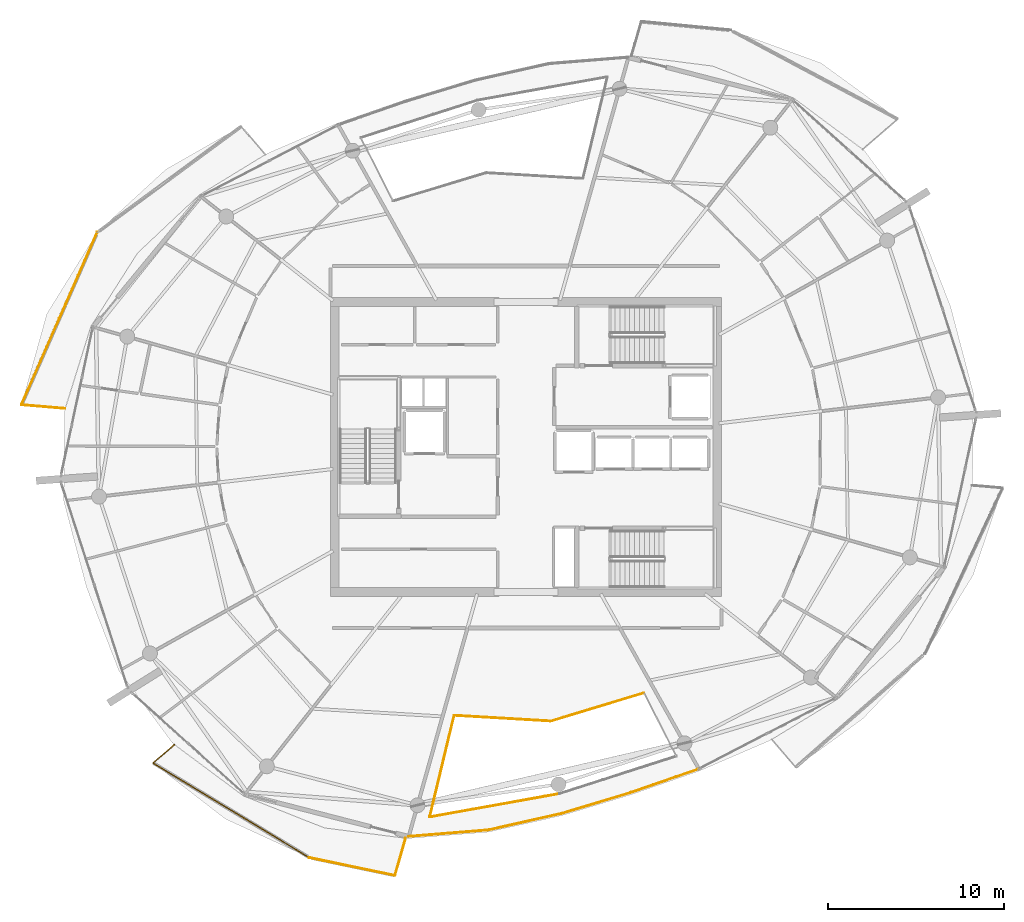
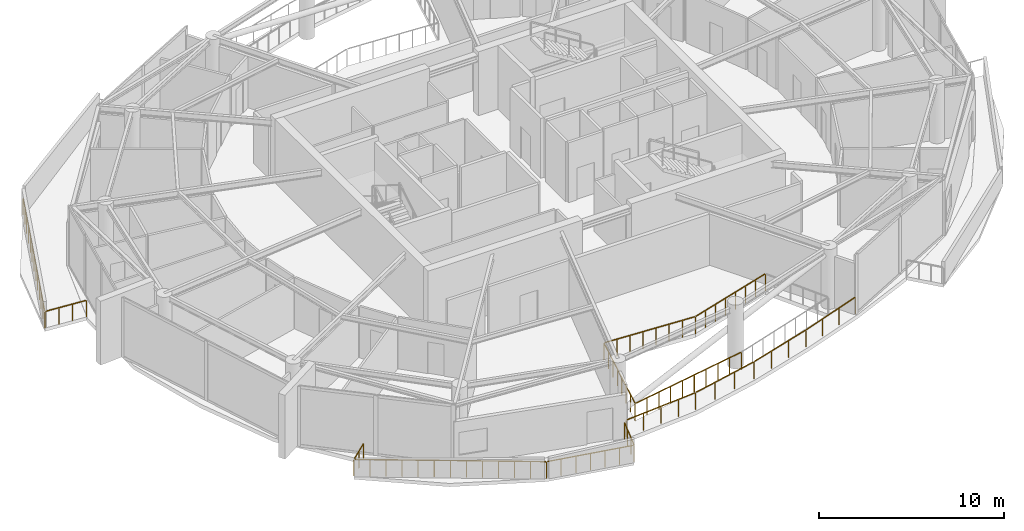
# One storey, part 18 of 22: 11 railings.
"""IFC4 building model written with IfcOpenShell, lengths in metres."""

from ifc_helpers import new_model, si_unit, direction, frame, origin, origin_2d, place, context, subcontext, project, spatial, rectangle, extrude, material, type_object, element, save


model = new_model("IFC4")

# Units and contexts
model_context = context("Model", 3, precision=1e-05, world=origin(), true_north=direction((0.0, 1.0)))
body_context = subcontext(model_context, "Body", "Model", "MODEL_VIEW")
ifc_project = project(units=[si_unit("LENGTHUNIT", "METRE"), si_unit("AREAUNIT", "SQUARE_METRE"), si_unit("VOLUMEUNIT", "CUBIC_METRE"), si_unit("PLANEANGLEUNIT", "RADIAN"), si_unit("MASSUNIT", "GRAM", prefix="KILO")], contexts=[model_context])

# Site, building, storey
site_placement = place(None, origin())
site = spatial("IfcSite", under=ifc_project, at=site_placement, CompositionType="ELEMENT")
building_placement = place(site_placement, origin())
building = spatial("IfcBuilding", under=site, at=building_placement, Name="Kazma Halo Residences", CompositionType="ELEMENT")
storey_placement = place(building_placement, frame((0.0, 0.0, 326.300048828125)))
storey = spatial("IfcBuildingStorey", under=building, at=storey_placement, Name="L82", CompositionType="ELEMENT", Elevation=326.300048828125)

# Railings
ifc_material_1 = material(Name="Aluminium AW-6063 T6 Brushed Cap Rail", Category="aluminium")
railing_type_1 = type_object("IfcRailingType", Name="RLG-BAL-CAP-1120", PredefinedType="BALUSTRADE", material=ifc_material_1)
railing_1_placement = place(storey_placement, frame((24.037841796875, 54.20947265625, 0.0)))
element("IfcRailing", 1, at=railing_1_placement, inside=storey, type_object=railing_type_1, Name="L82 NW wave balcony guard 3", PredefinedType="BALUSTRADE", context=body_context, shape_type="SweptSolid", body=[
    extrude(rectangle(XDim=0.050048828125, YDim=0.050048828125, at=origin_2d()), frame((-0.01708984375, -0.0390625, 1.09521484375), z_axis=(-0.402281222245, -0.915516148535, 0.0), x_axis=(0.915516148535, -0.402281222245, 0.0)), (0.0, 0.0, 1.0), 10.630859375),
    extrude(rectangle(XDim=0.0400390625, YDim=0.0400390625, at=origin_2d()), origin(), (0.0, 0.0, 1.0), 1.05810546875),
    extrude(rectangle(XDim=0.0400390625, YDim=0.0400390625, at=origin_2d()), frame((-0.359130859375, -0.817626953125, 0.0)), (0.0, 0.0, 1.0), 1.05810546875),
    extrude(rectangle(XDim=0.0400390625, YDim=0.0400390625, at=origin_2d()), frame((-0.718505859375, -1.635009765625, 0.0)), (0.0, 0.0, 1.0), 1.05810546875),
    extrude(rectangle(XDim=0.0400390625, YDim=0.0400390625, at=origin_2d()), frame((-1.07763671875, -2.45263671875, 0.0)), (0.0, 0.0, 1.0), 1.05810546875),
    extrude(rectangle(XDim=0.0400390625, YDim=0.0400390625, at=origin_2d()), frame((-1.43701171875, -3.270263671875, 0.0)), (0.0, 0.0, 1.0), 1.05810546875),
    extrude(rectangle(XDim=0.0400390625, YDim=0.0400390625, at=origin_2d()), frame((-1.796142578125, -4.087646484375, 0.0)), (0.0, 0.0, 1.0), 1.05810546875),
    extrude(rectangle(XDim=0.0400390625, YDim=0.0400390625, at=origin_2d()), frame((-2.1552734375, -4.9052734375, 0.0)), (0.0, 0.0, 1.0), 1.05810546875),
    extrude(rectangle(XDim=0.0400390625, YDim=0.0400390625, at=origin_2d()), frame((-2.5146484375, -5.722900390625, 0.0)), (0.0, 0.0, 1.0), 1.05810546875),
    extrude(rectangle(XDim=0.0400390625, YDim=0.0400390625, at=origin_2d()), frame((-2.873779296875, -6.540283203125, 0.0)), (0.0, 0.0, 1.0), 1.05810546875),
    extrude(rectangle(XDim=0.0400390625, YDim=0.0400390625, at=origin_2d()), frame((-3.233154296875, -7.35791015625, 0.0)), (0.0, 0.0, 1.0), 1.05810546875),
    extrude(rectangle(XDim=0.0400390625, YDim=0.0400390625, at=origin_2d()), frame((-3.59228515625, -8.175537109375, 0.0)), (0.0, 0.0, 1.0), 1.05810546875),
    extrude(rectangle(XDim=0.0400390625, YDim=0.0400390625, at=origin_2d()), frame((-3.95166015625, -8.992919921875, 0.0)), (0.0, 0.0, 1.0), 1.05810546875),
    extrude(rectangle(XDim=0.0400390625, YDim=0.0400390625, at=origin_2d()), frame((-4.310791015625, -9.810546875, 0.0)), (0.0, 0.0, 1.0), 1.05810546875),
])
railing_2_placement = place(storey_placement, frame((19.72705078125, 44.39892578125, 0.0)))
element("IfcRailing", 2, at=railing_2_placement, inside=storey, type_object=railing_type_1, Name="L82 NW wave balcony guard 4", PredefinedType="BALUSTRADE", context=body_context, shape_type="SweptSolid", body=[
    extrude(rectangle(XDim=0.050048828125, YDim=0.050048828125, at=origin_2d()), frame((0.04248046875, -0.003662109375, 1.09521484375), z_axis=(0.996418937091, -0.084553544023, 0.0), x_axis=(0.084553544023, 0.996418937091, 0.0)), (0.0, 0.0, 1.0), 2.40673828125),
    extrude(rectangle(XDim=0.0400390625, YDim=0.0400390625, at=origin_2d()), origin(), (0.0, 0.0, 1.0), 1.05810546875),
    extrude(rectangle(XDim=0.0400390625, YDim=0.0400390625, at=origin_2d()), frame((0.82763671875, -0.0703125, 0.0)), (0.0, 0.0, 1.0), 1.05810546875),
    extrude(rectangle(XDim=0.0400390625, YDim=0.0400390625, at=origin_2d()), frame((1.6552734375, -0.140380859375, 0.0)), (0.0, 0.0, 1.0), 1.05810546875),
    extrude(rectangle(XDim=0.0400390625, YDim=0.0400390625, at=origin_2d()), frame((2.48291015625, -0.210693359375, 0.0)), (0.0, 0.0, 1.0), 1.05810546875),
])
railing_3_placement = place(storey_placement, frame((28.421630859375, 25.070556640625, 0.0)))
element("IfcRailing", 3, at=railing_3_placement, inside=storey, type_object=railing_type_1, Name="L82 SW wave balcony guard 1", PredefinedType="BALUSTRADE", context=body_context, shape_type="SweptSolid", body=[
    extrude(rectangle(XDim=0.050048828125, YDim=0.050048828125, at=origin_2d()), frame((-0.0322265625, -0.02783203125, 1.09521484375), z_axis=(-0.75644490744, -0.654057414918, 0.0), x_axis=(0.654057414918, -0.75644490744, 0.0)), (0.0, 0.0, 1.0), 1.512451171875),
    extrude(rectangle(XDim=0.0400390625, YDim=0.0400390625, at=origin_2d()), origin(), (0.0, 0.0, 1.0), 1.05810546875),
    extrude(rectangle(XDim=0.0400390625, YDim=0.0400390625, at=origin_2d()), frame((-0.604248046875, -0.5224609375, 0.0)), (0.0, 0.0, 1.0), 1.05810546875),
    extrude(rectangle(XDim=0.0400390625, YDim=0.0400390625, at=origin_2d()), frame((-1.20849609375, -1.044921875, 0.0)), (0.0, 0.0, 1.0), 1.05810546875),
])
railing_4_placement = place(storey_placement, frame((27.213134765625, 24.025634765625, 0.0)))
element("IfcRailing", 4, at=railing_4_placement, inside=storey, type_object=railing_type_1, Name="L82 SW wave balcony guard 2", PredefinedType="BALUSTRADE", context=body_context, shape_type="SweptSolid", body=[
    extrude(rectangle(XDim=0.050048828125, YDim=0.050048828125, at=origin_2d()), frame((0.036376953125, -0.02197265625, 1.09521484375), z_axis=(0.855331007038, -0.518081912827, 0.0), x_axis=(0.518081912827, 0.855331007038, 0.0)), (0.0, 0.0, 1.0), 10.303955078125),
    extrude(rectangle(XDim=0.0400390625, YDim=0.0400390625, at=origin_2d()), origin(), (0.0, 0.0, 1.0), 1.05810546875),
    extrude(rectangle(XDim=0.0400390625, YDim=0.0400390625, at=origin_2d()), frame((0.740478515625, -0.448486328125, 0.0)), (0.0, 0.0, 1.0), 1.05810546875),
    extrude(rectangle(XDim=0.0400390625, YDim=0.0400390625, at=origin_2d()), frame((1.48095703125, -0.89697265625, 0.0)), (0.0, 0.0, 1.0), 1.05810546875),
    extrude(rectangle(XDim=0.0400390625, YDim=0.0400390625, at=origin_2d()), frame((2.221435546875, -1.345703125, 0.0)), (0.0, 0.0, 1.0), 1.05810546875),
    extrude(rectangle(XDim=0.0400390625, YDim=0.0400390625, at=origin_2d()), frame((2.9619140625, -1.794189453125, 0.0)), (0.0, 0.0, 1.0), 1.05810546875),
    extrude(rectangle(XDim=0.0400390625, YDim=0.0400390625, at=origin_2d()), frame((3.702392578125, -2.24267578125, 0.0)), (0.0, 0.0, 1.0), 1.05810546875),
    extrude(rectangle(XDim=0.0400390625, YDim=0.0400390625, at=origin_2d()), frame((4.44287109375, -2.691162109375, 0.0)), (0.0, 0.0, 1.0), 1.05810546875),
    extrude(rectangle(XDim=0.0400390625, YDim=0.0400390625, at=origin_2d()), frame((5.18359375, -3.1396484375, 0.0)), (0.0, 0.0, 1.0), 1.05810546875),
    extrude(rectangle(XDim=0.0400390625, YDim=0.0400390625, at=origin_2d()), frame((5.924072265625, -3.588134765625, 0.0)), (0.0, 0.0, 1.0), 1.05810546875),
    extrude(rectangle(XDim=0.0400390625, YDim=0.0400390625, at=origin_2d()), frame((6.66455078125, -4.03662109375, 0.0)), (0.0, 0.0, 1.0), 1.05810546875),
    extrude(rectangle(XDim=0.0400390625, YDim=0.0400390625, at=origin_2d()), frame((7.405029296875, -4.4853515625, 0.0)), (0.0, 0.0, 1.0), 1.05810546875),
    extrude(rectangle(XDim=0.0400390625, YDim=0.0400390625, at=origin_2d()), frame((8.1455078125, -4.933837890625, 0.0)), (0.0, 0.0, 1.0), 1.05810546875),
    extrude(rectangle(XDim=0.0400390625, YDim=0.0400390625, at=origin_2d()), frame((8.885986328125, -5.38232421875, 0.0)), (0.0, 0.0, 1.0), 1.05810546875),
])
railing_5_placement = place(storey_placement, frame((36.09912109375, 18.643310546875, 0.0)))
element("IfcRailing", 5, at=railing_5_placement, inside=storey, type_object=railing_type_1, Name="L82 SW wave balcony guard 3", PredefinedType="BALUSTRADE", context=body_context, shape_type="SweptSolid", body=[
    extrude(rectangle(XDim=0.050048828125, YDim=0.050048828125, at=origin_2d()), frame((0.041748046875, -0.0087890625, 1.09521484375), z_axis=(0.978875280882, -0.20445827075, 0.0), x_axis=(0.20445827075, 0.978875280882, 0.0)), (0.0, 0.0, 1.0), 4.885986328125),
    extrude(rectangle(XDim=0.0400390625, YDim=0.0400390625, at=origin_2d()), origin(), (0.0, 0.0, 1.0), 1.05810546875),
    extrude(rectangle(XDim=0.0400390625, YDim=0.0400390625, at=origin_2d()), frame((0.81103515625, -0.16943359375, 0.0)), (0.0, 0.0, 1.0), 1.05810546875),
    extrude(rectangle(XDim=0.0400390625, YDim=0.0400390625, at=origin_2d()), frame((1.6220703125, -0.3388671875, 0.0)), (0.0, 0.0, 1.0), 1.05810546875),
    extrude(rectangle(XDim=0.0400390625, YDim=0.0400390625, at=origin_2d()), frame((2.43310546875, -0.50830078125, 0.0)), (0.0, 0.0, 1.0), 1.05810546875),
    extrude(rectangle(XDim=0.0400390625, YDim=0.0400390625, at=origin_2d()), frame((3.243896484375, -0.677490234375, 0.0)), (0.0, 0.0, 1.0), 1.05810546875),
    extrude(rectangle(XDim=0.0400390625, YDim=0.0400390625, at=origin_2d()), frame((4.054931640625, -0.846923828125, 0.0)), (0.0, 0.0, 1.0), 1.05810546875),
    extrude(rectangle(XDim=0.0400390625, YDim=0.0400390625, at=origin_2d()), frame((4.865966796875, -1.016357421875, 0.0)), (0.0, 0.0, 1.0), 1.05810546875),
])
railing_6_placement = place(storey_placement, frame((40.965087890625, 17.626953125, 0.0)))
element("IfcRailing", 6, at=railing_6_placement, inside=storey, type_object=railing_type_1, Name="L82 SW wave balcony guard 4", PredefinedType="BALUSTRADE", context=body_context, shape_type="SweptSolid", body=[
    extrude(rectangle(XDim=0.050048828125, YDim=0.050048828125, at=origin_2d()), frame((0.01171875, 0.040771484375, 1.09521484375), z_axis=(0.277308048888, 0.960781060399, 0.0), x_axis=(-0.960781060399, 0.277308048888, 0.0)), (0.0, 0.0, 1.0), 2.120361328125),
    extrude(rectangle(XDim=0.0400390625, YDim=0.0400390625, at=origin_2d()), origin(), (0.0, 0.0, 1.0), 1.05810546875),
    extrude(rectangle(XDim=0.0400390625, YDim=0.0400390625, at=origin_2d()), frame((0.203857421875, 0.706298828125, 0.0)), (0.0, 0.0, 1.0), 1.05810546875),
    extrude(rectangle(XDim=0.0400390625, YDim=0.0400390625, at=origin_2d()), frame((0.40771484375, 1.41259765625, 0.0)), (0.0, 0.0, 1.0), 1.05810546875),
    extrude(rectangle(XDim=0.0400390625, YDim=0.0400390625, at=origin_2d()), frame((0.611572265625, 2.118896484375, 0.0)), (0.0, 0.0, 1.0), 1.05810546875),
])
ifc_material_2 = material(Name="Brushed Stainless Steel and Laminated Glass", Category="steel")
railing_type_2 = type_object("IfcRailingType", Name="RLG-EXT-GUARD-1150", PredefinedType="GUARDRAIL", material=ifc_material_2)
railing_7_placement = place(storey_placement, frame((44.3349609375, 26.73388671875, 0.0)))
element("IfcRailing", 7, at=railing_7_placement, inside=storey, type_object=railing_type_2, Name="L82 upper wind-portal edge guard 2.1", PredefinedType="GUARDRAIL", context=body_context, shape_type="SweptSolid", body=[
    extrude(rectangle(XDim=0.050048828125, YDim=0.050048828125, at=origin_2d()), frame((0.04248046875, -0.00244140625, 1.125), z_axis=(0.998263068552, -0.058913886013, 0.0), x_axis=(0.058913886013, 0.998263068552, 0.0)), (0.0, 0.0, 1.0), 5.434814453125),
    extrude(rectangle(XDim=0.0400390625, YDim=0.0400390625, at=origin_2d()), origin(), (0.0, 0.0, 1.0), 1.087890625),
    extrude(rectangle(XDim=0.0400390625, YDim=0.0400390625, at=origin_2d()), frame((0.787109375, -0.04638671875, 0.0)), (0.0, 0.0, 1.0), 1.087890625),
    extrude(rectangle(XDim=0.0400390625, YDim=0.0400390625, at=origin_2d()), frame((1.574462890625, -0.093017578125, 0.0)), (0.0, 0.0, 1.0), 1.087890625),
    extrude(rectangle(XDim=0.0400390625, YDim=0.0400390625, at=origin_2d()), frame((2.361572265625, -0.139404296875, 0.0)), (0.0, 0.0, 1.0), 1.087890625),
    extrude(rectangle(XDim=0.0400390625, YDim=0.0400390625, at=origin_2d()), frame((3.148681640625, -0.185791015625, 0.0)), (0.0, 0.0, 1.0), 1.087890625),
    extrude(rectangle(XDim=0.0400390625, YDim=0.0400390625, at=origin_2d()), frame((3.935791015625, -0.232177734375, 0.0)), (0.0, 0.0, 1.0), 1.087890625),
    extrude(rectangle(XDim=0.0400390625, YDim=0.0400390625, at=origin_2d()), frame((4.72314453125, -0.27880859375, 0.0)), (0.0, 0.0, 1.0), 1.087890625),
    extrude(rectangle(XDim=0.0400390625, YDim=0.0400390625, at=origin_2d()), frame((5.51025390625, -0.3251953125, 0.0)), (0.0, 0.0, 1.0), 1.087890625),
])
railing_8_placement = place(storey_placement, frame((49.84521484375, 26.40869140625, 0.0)))
element("IfcRailing", 8, at=railing_8_placement, inside=storey, type_object=railing_type_2, Name="L82 upper wind-portal edge guard 2.2", PredefinedType="GUARDRAIL", context=body_context, shape_type="SweptSolid", body=[
    extrude(rectangle(XDim=0.050048828125, YDim=0.050048828125, at=origin_2d()), frame((0.040771484375, 0.012451171875, 1.125), z_axis=(0.956934342561, 0.290304433358, 0.0), x_axis=(-0.290304433358, 0.956934342561, 0.0)), (0.0, 0.0, 1.0), 5.43505859375),
    extrude(rectangle(XDim=0.0400390625, YDim=0.0400390625, at=origin_2d()), origin(), (0.0, 0.0, 1.0), 1.087890625),
    extrude(rectangle(XDim=0.0400390625, YDim=0.0400390625, at=origin_2d()), frame((0.754638671875, 0.22900390625, 0.0)), (0.0, 0.0, 1.0), 1.087890625),
    extrude(rectangle(XDim=0.0400390625, YDim=0.0400390625, at=origin_2d()), frame((1.50927734375, 0.457763671875, 0.0)), (0.0, 0.0, 1.0), 1.087890625),
    extrude(rectangle(XDim=0.0400390625, YDim=0.0400390625, at=origin_2d()), frame((2.263916015625, 0.686767578125, 0.0)), (0.0, 0.0, 1.0), 1.087890625),
    extrude(rectangle(XDim=0.0400390625, YDim=0.0400390625, at=origin_2d()), frame((3.0185546875, 0.915771484375, 0.0)), (0.0, 0.0, 1.0), 1.087890625),
    extrude(rectangle(XDim=0.0400390625, YDim=0.0400390625, at=origin_2d()), frame((3.773193359375, 1.144775390625, 0.0)), (0.0, 0.0, 1.0), 1.087890625),
    extrude(rectangle(XDim=0.0400390625, YDim=0.0400390625, at=origin_2d()), frame((4.52783203125, 1.37353515625, 0.0)), (0.0, 0.0, 1.0), 1.087890625),
    extrude(rectangle(XDim=0.0400390625, YDim=0.0400390625, at=origin_2d()), frame((5.282470703125, 1.6025390625, 0.0)), (0.0, 0.0, 1.0), 1.087890625),
])
railing_9_placement = place(storey_placement, frame((50.333984375, 22.2802734375, 0.0)))
element("IfcRailing", 9, at=railing_9_placement, inside=storey, type_object=railing_type_2, Name="L82 upper wind-portal edge guard 2.5", PredefinedType="GUARDRAIL", context=body_context, shape_type="SweptSolid", body=[
    extrude(rectangle(XDim=0.050048828125, YDim=0.050048828125, at=origin_2d()), frame((-0.0419921875, -0.007568359375, 1.125), z_axis=(-0.984235798799, -0.176861223455, 0.0), x_axis=(0.176861223455, -0.984235798799, 0.0)), (0.0, 0.0, 1.0), 7.420166015625),
    extrude(rectangle(XDim=0.0400390625, YDim=0.0400390625, at=origin_2d()), origin(), (0.0, 0.0, 1.0), 1.087890625),
    extrude(rectangle(XDim=0.0400390625, YDim=0.0400390625, at=origin_2d()), frame((-0.82080078125, -0.1474609375, 0.0)), (0.0, 0.0, 1.0), 1.087890625),
    extrude(rectangle(XDim=0.0400390625, YDim=0.0400390625, at=origin_2d()), frame((-1.6416015625, -0.294921875, 0.0)), (0.0, 0.0, 1.0), 1.087890625),
    extrude(rectangle(XDim=0.0400390625, YDim=0.0400390625, at=origin_2d()), frame((-2.46240234375, -0.4423828125, 0.0)), (0.0, 0.0, 1.0), 1.087890625),
    extrude(rectangle(XDim=0.0400390625, YDim=0.0400390625, at=origin_2d()), frame((-3.283203125, -0.58984375, 0.0)), (0.0, 0.0, 1.0), 1.087890625),
    extrude(rectangle(XDim=0.0400390625, YDim=0.0400390625, at=origin_2d()), frame((-4.103759765625, -0.737548828125, 0.0)), (0.0, 0.0, 1.0), 1.087890625),
    extrude(rectangle(XDim=0.0400390625, YDim=0.0400390625, at=origin_2d()), frame((-4.924560546875, -0.885009765625, 0.0)), (0.0, 0.0, 1.0), 1.087890625),
    extrude(rectangle(XDim=0.0400390625, YDim=0.0400390625, at=origin_2d()), frame((-5.745361328125, -1.032470703125, 0.0)), (0.0, 0.0, 1.0), 1.087890625),
    extrude(rectangle(XDim=0.0400390625, YDim=0.0400390625, at=origin_2d()), frame((-6.566162109375, -1.179931640625, 0.0)), (0.0, 0.0, 1.0), 1.087890625),
    extrude(rectangle(XDim=0.0400390625, YDim=0.0400390625, at=origin_2d()), frame((-7.386962890625, -1.327392578125, 0.0)), (0.0, 0.0, 1.0), 1.087890625),
])
railing_10_placement = place(storey_placement, frame((42.947021484375, 20.952880859375, 0.0)))
element("IfcRailing", 10, at=railing_10_placement, inside=storey, type_object=railing_type_2, Name="L82 upper wind-portal edge guard 2.6", PredefinedType="GUARDRAIL", context=body_context, shape_type="SweptSolid", body=[
    extrude(rectangle(XDim=0.050048828125, YDim=0.050048828125, at=origin_2d()), frame((0.010009765625, 0.041259765625, 1.125), z_axis=(0.233452160997, 0.972368288523, 0.0), x_axis=(-0.972368288523, 0.233452160997, 0.0)), (0.0, 0.0, 1.0), 5.860107421875),
    extrude(rectangle(XDim=0.0400390625, YDim=0.0400390625, at=origin_2d()), origin(), (0.0, 0.0, 1.0), 1.087890625),
    extrude(rectangle(XDim=0.0400390625, YDim=0.0400390625, at=origin_2d()), frame((0.1982421875, 0.825927734375, 0.0)), (0.0, 0.0, 1.0), 1.087890625),
    extrude(rectangle(XDim=0.0400390625, YDim=0.0400390625, at=origin_2d()), frame((0.396484375, 1.651611328125, 0.0)), (0.0, 0.0, 1.0), 1.087890625),
    extrude(rectangle(XDim=0.0400390625, YDim=0.0400390625, at=origin_2d()), frame((0.5947265625, 2.4775390625, 0.0)), (0.0, 0.0, 1.0), 1.087890625),
    extrude(rectangle(XDim=0.0400390625, YDim=0.0400390625, at=origin_2d()), frame((0.793212890625, 3.303466796875, 0.0)), (0.0, 0.0, 1.0), 1.087890625),
    extrude(rectangle(XDim=0.0400390625, YDim=0.0400390625, at=origin_2d()), frame((0.991455078125, 4.12939453125, 0.0)), (0.0, 0.0, 1.0), 1.087890625),
    extrude(rectangle(XDim=0.0400390625, YDim=0.0400390625, at=origin_2d()), frame((1.189697265625, 4.955078125, 0.0)), (0.0, 0.0, 1.0), 1.087890625),
    extrude(rectangle(XDim=0.0400390625, YDim=0.0400390625, at=origin_2d()), frame((1.387939453125, 5.781005859375, 0.0)), (0.0, 0.0, 1.0), 1.087890625),
])
railing_11_placement = place(storey_placement, frame((41.751953125, 19.84619140625, 0.0)))
element("IfcRailing", 11, at=railing_11_placement, inside=storey, type_object=railing_type_2, Name="L82 upper wind-portal outer rim guard 2", PredefinedType="GUARDRAIL", context=body_context, shape_type="SweptSolid", body=[
    extrude(rectangle(XDim=0.050048828125, YDim=0.050048828125, at=origin_2d()), frame((0.04248046875, 0.00341796875, 1.125), z_axis=(0.996709972845, 0.081050786741, 0.0), x_axis=(-0.081050786741, 0.996709972845, 0.0)), (0.0, 0.0, 1.0), 4.46337890625),
    extrude(rectangle(XDim=0.050048828125, YDim=0.050048828125, at=origin_2d()), frame((4.574951171875, 0.3779296875, 1.125), z_axis=(0.975482432849, 0.220077311878, 0.0), x_axis=(-0.220077311878, 0.975482432849, 0.0)), (0.0, 0.0, 1.0), 4.201416015625),
    extrude(rectangle(XDim=0.050048828125, YDim=0.050048828125, at=origin_2d()), frame((8.755615234375, 1.32421875, 1.125), z_axis=(0.957126127976, 0.289671495225, 0.0), x_axis=(-0.289671495225, 0.957126127976, 0.0)), (0.0, 0.0, 1.0), 4.01025390625),
    extrude(rectangle(XDim=0.050048828125, YDim=0.050048828125, at=origin_2d()), frame((12.6748046875, 2.51220703125, 1.125), z_axis=(0.944594872531, 0.328238521184, 0.0), x_axis=(-0.328238521184, 0.944594872531, 0.0)), (0.0, 0.0, 1.0), 4.01025390625),
    extrude(rectangle(XDim=0.0400390625, YDim=0.0400390625, at=origin_2d()), origin(), (0.0, 0.0, 1.0), 1.087890625),
    extrude(rectangle(XDim=0.0400390625, YDim=0.0400390625, at=origin_2d()), frame((1.13330078125, 0.09228515625, 0.0)), (0.0, 0.0, 1.0), 1.087890625),
    extrude(rectangle(XDim=0.0400390625, YDim=0.0400390625, at=origin_2d()), frame((2.2666015625, 0.184326171875, 0.0)), (0.0, 0.0, 1.0), 1.087890625),
    extrude(rectangle(XDim=0.0400390625, YDim=0.0400390625, at=origin_2d()), frame((3.400146484375, 0.2763671875, 0.0)), (0.0, 0.0, 1.0), 1.087890625),
    extrude(rectangle(XDim=0.0400390625, YDim=0.0400390625, at=origin_2d()), frame((4.533447265625, 0.36865234375, 0.0)), (0.0, 0.0, 1.0), 1.087890625),
    extrude(rectangle(XDim=0.0400390625, YDim=0.0400390625, at=origin_2d()), frame((5.92724609375, 0.68310546875, 0.0)), (0.0, 0.0, 1.0), 1.087890625),
    extrude(rectangle(XDim=0.0400390625, YDim=0.0400390625, at=origin_2d()), frame((7.321044921875, 0.99755859375, 0.0)), (0.0, 0.0, 1.0), 1.087890625),
    extrude(rectangle(XDim=0.0400390625, YDim=0.0400390625, at=origin_2d()), frame((8.71484375, 1.31201171875, 0.0)), (0.0, 0.0, 1.0), 1.087890625),
    extrude(rectangle(XDim=0.0400390625, YDim=0.0400390625, at=origin_2d()), frame((10.021484375, 1.70751953125, 0.0)), (0.0, 0.0, 1.0), 1.087890625),
    extrude(rectangle(XDim=0.0400390625, YDim=0.0400390625, at=origin_2d()), frame((11.327880859375, 2.102783203125, 0.0)), (0.0, 0.0, 1.0), 1.087890625),
    extrude(rectangle(XDim=0.0400390625, YDim=0.0400390625, at=origin_2d()), frame((12.634521484375, 2.498291015625, 0.0)), (0.0, 0.0, 1.0), 1.087890625),
    extrude(rectangle(XDim=0.0400390625, YDim=0.0400390625, at=origin_2d()), frame((13.924072265625, 2.9462890625, 0.0)), (0.0, 0.0, 1.0), 1.087890625),
    extrude(rectangle(XDim=0.0400390625, YDim=0.0400390625, at=origin_2d()), frame((15.21337890625, 3.39453125, 0.0)), (0.0, 0.0, 1.0), 1.087890625),
    extrude(rectangle(XDim=0.0400390625, YDim=0.0400390625, at=origin_2d()), frame((16.5029296875, 3.842529296875, 0.0)), (0.0, 0.0, 1.0), 1.087890625),
])

save(model, "model.ifc")
